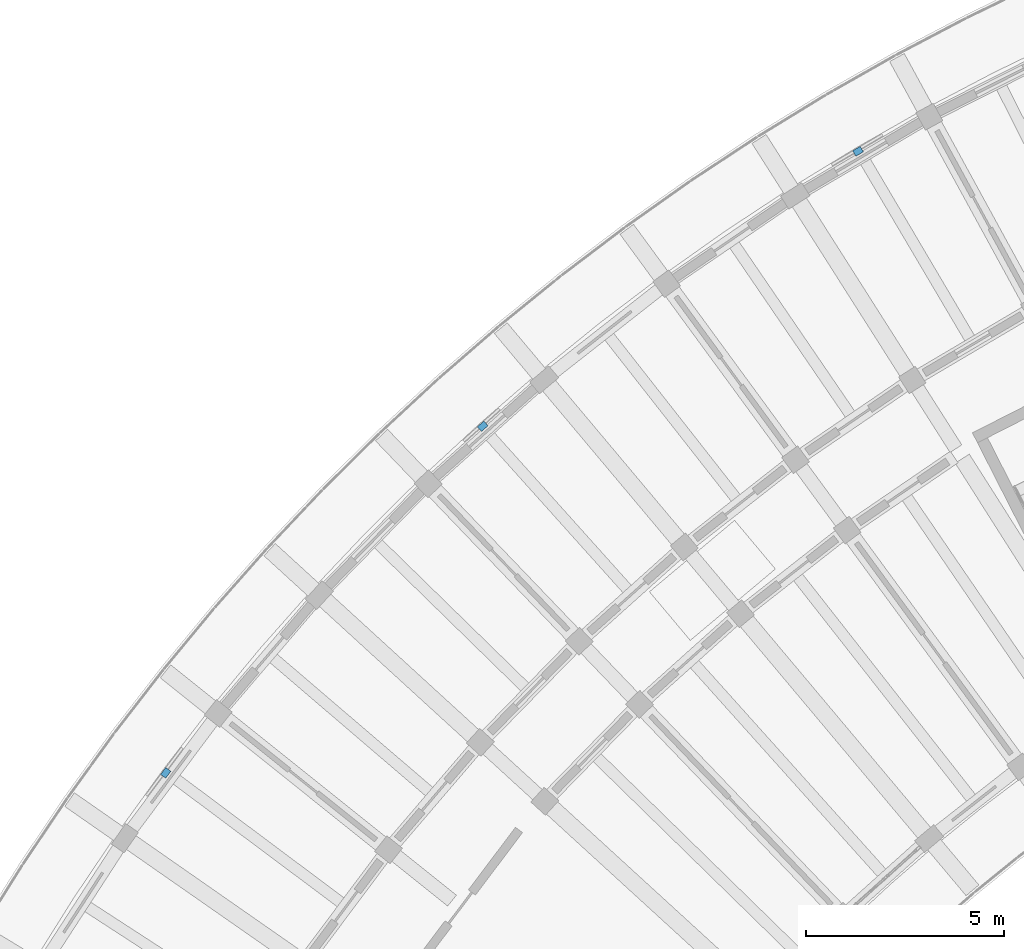
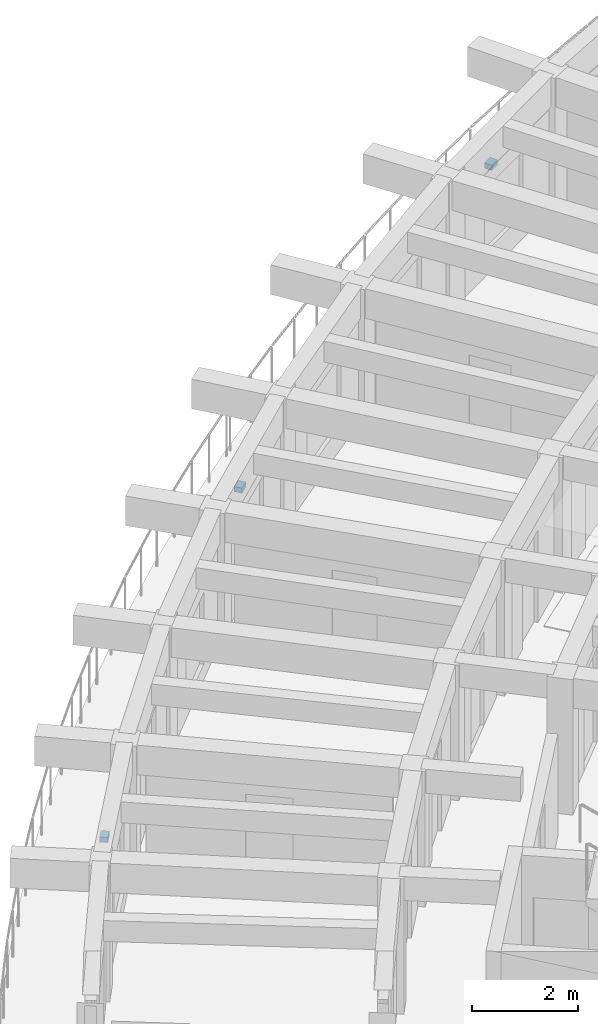
# One storey, part 29 of 41: 3 discrete accessories.
"""IFC4 building model written with IfcOpenShell, lengths in metres."""

from ifc_helpers import new_model, si_unit, direction, frame, origin, origin_2d, place, context, subcontext, project, spatial, rectangle, extrude, material, type_object, element, save


model = new_model("IFC4")

# Units and contexts
model_context = context("Model", 3, precision=1e-05, world=origin(), true_north=direction((0.0, 1.0)))
body_context = subcontext(model_context, "Body", "Model", "MODEL_VIEW")
ifc_project = project(units=[si_unit("LENGTHUNIT", "METRE"), si_unit("AREAUNIT", "SQUARE_METRE"), si_unit("VOLUMEUNIT", "CUBIC_METRE"), si_unit("PLANEANGLEUNIT", "RADIAN"), si_unit("MASSUNIT", "GRAM", prefix="KILO")], contexts=[model_context])

# Site, building, storey
site_placement = place(None, origin())
site = spatial("IfcSite", under=ifc_project, at=site_placement, CompositionType="ELEMENT")
building_placement = place(site_placement, origin())
building = spatial("IfcBuilding", under=site, at=building_placement, Name="Tanwirah Colonnade Gardens", CompositionType="ELEMENT")
storey_placement = place(building_placement, frame((0.0, 0.0, 35.719970703125)))
storey = spatial("IfcBuildingStorey", under=building, at=storey_placement, Name="L10", CompositionType="ELEMENT", Elevation=35.719970703125)

# Discrete accessories
ifc_material = material(Name="Steel S355", Category="steel")
discrete_accessory_type = type_object("IfcDiscreteAccessoryType", Name="BRK-SS1", PredefinedType="BRACKET", material=ifc_material)
for number, where, z_axis, x_axis, name in (
    (1, (34.636474609375, 111.578857421875, 2.010009765625), (0.0, 0.0, 1.0), (-0.861135955429, -0.508374730162, 0.0), "Solar screen support bracket A-L10-06"),
    (2, (25.1728515625, 104.646728515625, 2.099853515625), (0.0, 0.0, 1.0), (-0.744439844011, -0.667689537621, 0.0), "Solar screen support bracket A-L10-09"),
    (3, (17.181884765625, 95.9091796875, 2.14990234375), (0.0, 0.0, 1.0), (-0.598712697637, -0.800963860413, 0.0), "Solar screen support bracket A-L10-12"),
):
    element("IfcDiscreteAccessory", number, at=place(storey_placement, frame(where, z_axis=z_axis, x_axis=x_axis)), inside=storey, type_object=discrete_accessory_type, Name=name, PredefinedType="BRACKET", context=body_context, shape_type="SweptSolid", body=[
        extrude(rectangle(XDim=0.219970703125, YDim=0.159912109375, at=origin_2d()), origin(), (0.0, 0.0, 1.0), 0.1201171875),
    ])

save(model, "model.ifc")
